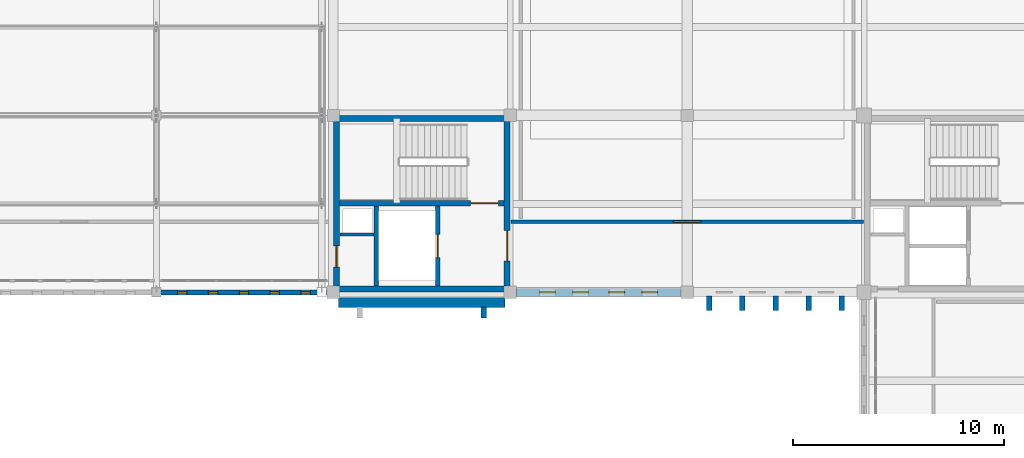
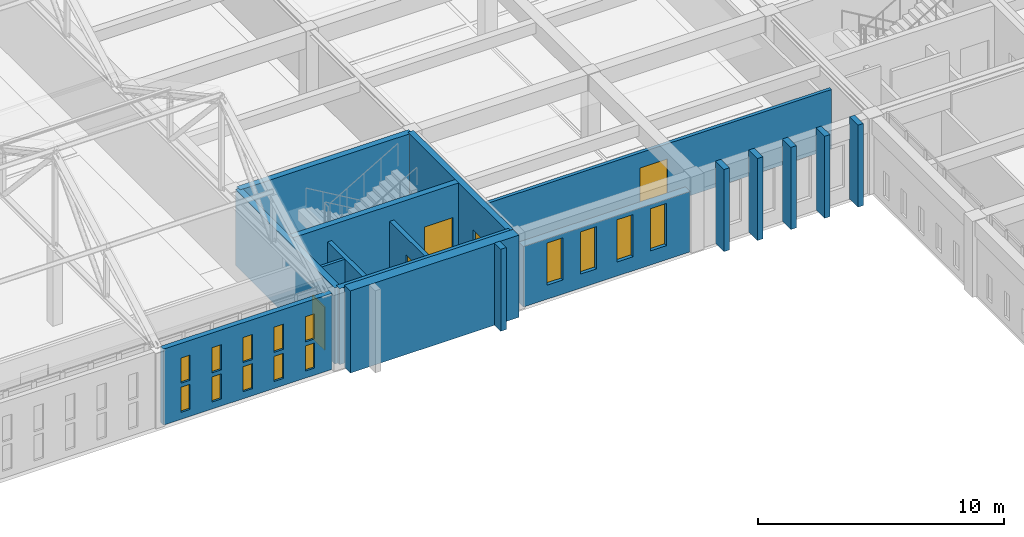
# One storey, part 92 of 110: 18 walls, 14 windows, 5 doors, 19 openings.
"""IFC4 building model written with IfcOpenShell, lengths in metres."""

from ifc_helpers import new_model, si_unit, direction, frame, frame_2d, origin, place, context, subcontext, project, spatial, rectangle, extrude, material, layer, layer_set, type_object, element, fill, save


model = new_model("IFC4")

# Units and contexts
model_context = context("Model", 3, precision=1e-05, world=origin(), true_north=direction((0.0, 1.0)))
body_context = subcontext(model_context, "Body", "Model", "MODEL_VIEW")
ifc_project = project(units=[si_unit("LENGTHUNIT", "METRE"), si_unit("AREAUNIT", "SQUARE_METRE"), si_unit("VOLUMEUNIT", "CUBIC_METRE"), si_unit("PLANEANGLEUNIT", "RADIAN"), si_unit("MASSUNIT", "GRAM", prefix="KILO")], contexts=[model_context])

# Site, building, storey
site_placement = place(None, origin())
site = spatial("IfcSite", under=ifc_project, at=site_placement, CompositionType="ELEMENT")
building_placement = place(site_placement, origin())
building = spatial("IfcBuilding", under=site, at=building_placement, Name="Kveldsbrygga Polytechnic", CompositionType="ELEMENT")
storey_placement = place(building_placement, frame((0.0, 0.0, 9.860107421875)))
storey = spatial("IfcBuildingStorey", under=building, at=storey_placement, Name="L02", CompositionType="ELEMENT", Elevation=9.860107421875)

# Wall
ifc_material_1 = material(Name="Fired clay brick masonry M10", Category="masonry")
ifc_layer_1 = layer(ifc_material_1, 0.47998046875)
ifc_layer_set_1 = layer_set([ifc_layer_1], Name="Fired clay brick masonry M10")
wall_type_1 = type_object("IfcWallType", Name="EW-BAST-480", PredefinedType="SOLIDWALL", material=ifc_layer_set_1)
wall_1_placement = place(storey_placement, frame((101.0400390625, 83.52001953125, 0.0), z_axis=(0.0, 0.0, 1.0), x_axis=(1.0, 0.0, 0.0)))
element("IfcWall", 1, at=wall_1_placement, inside=storey, type_object=wall_type_1, Name="Corner Stair Bastion Wall BAST-L02-X-12-10", PredefinedType="SOLIDWALL", context=body_context, shape_type="SweptSolid", body=[
    extrude(rectangle(XDim=7.919921875, YDim=0.47998046875, at=frame_2d((3.9599609375, 0.0))), origin(), (0.0, 0.0, 1.0), 4.079833984375),
])

# Wall, openings, windows
ifc_layer_2 = layer(ifc_material_1, 0.3798828125)
ifc_layer_set_2 = layer_set([ifc_layer_2], Name="Fired clay brick masonry M10")
wall_type_2 = type_object("IfcWallType", Name="EW-BRICK-380", PredefinedType="SOLIDWALL", material=ifc_layer_set_2)
wall_2_placement = place(storey_placement, frame((109.47509765625, 84.0, 0.0), z_axis=(0.0, 0.0, 1.0), x_axis=(1.0, 0.0, 0.0)))
wall_2 = element("IfcWall", 2, at=wall_2_placement, inside=storey, type_object=wall_type_2, Name="Exterior Brick Wall EW-L02-X-13-10", PredefinedType="SOLIDWALL", context=body_context, shape_type="SweptSolid", body=[
    extrude(rectangle(XDim=7.83984375, YDim=0.3798828125, at=frame_2d((3.919921875, 0.0))), origin(), (0.0, 0.0, 1.0), 3.010009765625),
])
opening_1_placement = place(wall_2_placement, frame((1.114501953125, 0.0, 0.699951171875)))
opening_1 = element("IfcOpeningElement", 3, at=opening_1_placement, cuts=wall_2, Name="Opening W-27", PredefinedType="OPENING", context=body_context, shape_type="SweptSolid", body=[
    extrude(rectangle(XDim=0.75, YDim=2.10009765625, at=frame_2d((0.375, 1.050048828125))), frame((0.0, 0.199951171875, 0.0), z_axis=(0.0, -1.0, 0.0), x_axis=(1.0, 0.0, 0.0)), (0.0, 0.0, 1.0), 0.39990234375),
])
opening_2_placement = place(wall_2_placement, frame((2.6826171875, 0.0, 0.699951171875)))
opening_2 = element("IfcOpeningElement", 4, at=opening_2_placement, cuts=wall_2, Name="Opening W-27", PredefinedType="OPENING", context=body_context, shape_type="SweptSolid", body=[
    extrude(rectangle(XDim=0.75, YDim=2.10009765625, at=frame_2d((0.375, 1.050048828125))), frame((0.0, 0.199951171875, 0.0), z_axis=(0.0, -1.0, 0.0), x_axis=(1.0, 0.0, 0.0)), (0.0, 0.0, 1.0), 0.39990234375),
])
opening_3_placement = place(wall_2_placement, frame((4.407470703125, 0.0, 0.699951171875)))
opening_3 = element("IfcOpeningElement", 5, at=opening_3_placement, cuts=wall_2, Name="Opening W-27", PredefinedType="OPENING", context=body_context, shape_type="SweptSolid", body=[
    extrude(rectangle(XDim=0.75, YDim=2.10009765625, at=frame_2d((0.375, 1.050048828125))), frame((0.0, 0.199951171875, 0.0), z_axis=(0.0, -1.0, 0.0), x_axis=(1.0, 0.0, 0.0)), (0.0, 0.0, 1.0), 0.39990234375),
])
opening_4_placement = place(wall_2_placement, frame((5.975341796875, 0.0, 0.699951171875)))
opening_4 = element("IfcOpeningElement", 6, at=opening_4_placement, cuts=wall_2, Name="Opening W-27", PredefinedType="OPENING", context=body_context, shape_type="SweptSolid", body=[
    extrude(rectangle(XDim=0.75, YDim=2.10009765625, at=frame_2d((0.375, 1.050048828125))), frame((0.0, 0.199951171875, 0.0), z_axis=(0.0, -1.0, 0.0), x_axis=(1.0, 0.0, 0.0)), (0.0, 0.0, 1.0), 0.39990234375),
])
ifc_material_2 = material(Name="Insulated triple low-E glass", Category="glass")
window_type_1 = type_object("IfcWindowType", Name="WN-ATTIC-075x210", PartitioningType="DOUBLE_PANEL_VERTICAL", PredefinedType="WINDOW", material=ifc_material_2)
window_1_placement = place(opening_1_placement, origin())
window_1 = element("IfcWindow", 7, at=window_1_placement, inside=storey, type_object=window_type_1, Name="Gothic Lancet Window WIN-L02-X-13-10-1", OverallHeight=2.10009765625, OverallWidth=0.75, PartitioningType="DOUBLE_PANEL_VERTICAL", PredefinedType="WINDOW", context=body_context, shape_type="SweptSolid", body=[
    extrude(rectangle(XDim=0.75, YDim=2.10009765625, at=frame_2d((0.375, 1.050048828125))), frame((0.0, 0.030029296875, 0.0), z_axis=(0.0, -1.0, 0.0), x_axis=(1.0, 0.0, 0.0)), (0.0, 0.0, 1.0), 0.06005859375),
])
fill(opening_1, window_1)
window_2_placement = place(opening_2_placement, origin())
window_2 = element("IfcWindow", 8, at=window_2_placement, inside=storey, type_object=window_type_1, Name="Gothic Lancet Window WIN-L02-X-13-10-2", OverallHeight=2.10009765625, OverallWidth=0.75, PartitioningType="DOUBLE_PANEL_VERTICAL", PredefinedType="WINDOW", context=body_context, shape_type="SweptSolid", body=[
    extrude(rectangle(XDim=0.75, YDim=2.10009765625, at=frame_2d((0.375, 1.050048828125))), frame((0.0, 0.030029296875, 0.0), z_axis=(0.0, -1.0, 0.0), x_axis=(1.0, 0.0, 0.0)), (0.0, 0.0, 1.0), 0.06005859375),
])
fill(opening_2, window_2)
window_3_placement = place(opening_3_placement, origin())
window_3 = element("IfcWindow", 9, at=window_3_placement, inside=storey, type_object=window_type_1, Name="Gothic Lancet Window WIN-L02-X-13-10-3", OverallHeight=2.10009765625, OverallWidth=0.75, PartitioningType="DOUBLE_PANEL_VERTICAL", PredefinedType="WINDOW", context=body_context, shape_type="SweptSolid", body=[
    extrude(rectangle(XDim=0.75, YDim=2.10009765625, at=frame_2d((0.375, 1.050048828125))), frame((0.0, 0.030029296875, 0.0), z_axis=(0.0, -1.0, 0.0), x_axis=(1.0, 0.0, 0.0)), (0.0, 0.0, 1.0), 0.06005859375),
])
fill(opening_3, window_3)
window_4_placement = place(opening_4_placement, origin())
window_4 = element("IfcWindow", 10, at=window_4_placement, inside=storey, type_object=window_type_1, Name="Gothic Lancet Window WIN-L02-X-13-10-4", OverallHeight=2.10009765625, OverallWidth=0.75, PartitioningType="DOUBLE_PANEL_VERTICAL", PredefinedType="WINDOW", context=body_context, shape_type="SweptSolid", body=[
    extrude(rectangle(XDim=0.75, YDim=2.10009765625, at=frame_2d((0.375, 1.050048828125))), frame((0.0, 0.030029296875, 0.0), z_axis=(0.0, -1.0, 0.0), x_axis=(1.0, 0.0, 0.0)), (0.0, 0.0, 1.0), 0.06005859375),
])
fill(opening_4, window_4)

# Walls
ifc_layer_3 = layer(ifc_material_1, 0.260009765625)
ifc_layer_set_3 = layer_set([ifc_layer_3], Name="Fired clay brick masonry M10")
wall_type_3 = type_object("IfcWallType", Name="EW-BUTT-260", PredefinedType="SOLIDWALL", material=ifc_layer_set_3)
wall_3_placement = place(storey_placement, frame((107.949951171875, 83.300048828125, 0.0), z_axis=(0.0, 0.0, 1.0), x_axis=(0.0, -1.0, 0.0)))
element("IfcWall", 11, at=wall_3_placement, inside=storey, type_object=wall_type_3, Name="Gothic Brick Buttress Pier BCLAS-L02-X-12-10-2", PredefinedType="SOLIDWALL", context=body_context, shape_type="SweptSolid", body=[
    extrude(rectangle(XDim=0.52001953125, YDim=0.260009765625, at=frame_2d((0.260009765625, 0.0))), origin(), (0.0, 0.0, 1.0), 4.079833984375),
])
for number, where, z_axis, x_axis, name in (
    (12, (118.64990234375, 83.8349609375, 0.0), (0.0, 0.0, 1.0), (0.0, -1.0, 0.0), "Gothic Brick Buttress Pier BUTT-L02-X-14-10-1"),
    (13, (120.219970703125, 83.8349609375, 0.0), (0.0, 0.0, 1.0), (0.0, -1.0, 0.0), "Gothic Brick Buttress Pier BUTT-L02-X-14-10-2"),
    (14, (121.800048828125, 83.8349609375, 0.0), (0.0, 0.0, 1.0), (0.0, -1.0, 0.0), "Gothic Brick Buttress Pier BUTT-L02-X-14-10-3"),
    (15, (123.3798828125, 83.8349609375, 0.0), (0.0, 0.0, 1.0), (0.0, -1.0, 0.0), "Gothic Brick Buttress Pier BUTT-L02-X-14-10-4"),
    (16, (124.949951171875, 83.8349609375, 0.0), (0.0, 0.0, 1.0), (0.0, -1.0, 0.0), "Gothic Brick Buttress Pier BUTT-L02-X-14-10-5"),
):
    element("IfcWall", number, at=place(storey_placement, frame(where, z_axis=z_axis, x_axis=x_axis)), inside=storey, type_object=wall_type_3, Name=name, PredefinedType="SOLIDWALL", context=body_context, shape_type="SweptSolid", body=[
        extrude(rectangle(XDim=0.699951171875, YDim=0.260009765625, at=frame_2d((0.35009765625, 0.0))), origin(), (0.0, 0.0, 1.0), 4.079833984375),
    ])

# Wall, openings, windows
ifc_layer_4 = layer(ifc_material_1, 0.239990234375)
ifc_layer_set_4 = layer_set([ifc_layer_4], Name="Fired clay brick masonry M10")
wall_type_4 = type_object("IfcWallType", Name="EW-SCRN-240", PredefinedType="SOLIDWALL", material=ifc_layer_set_4)
wall_4_placement = place(storey_placement, frame((92.594970703125, 84.0, 0.0), z_axis=(0.0, 0.0, 1.0), x_axis=(1.0, 0.0, 0.0)))
wall_4 = element("IfcWall", 17, at=wall_4_placement, inside=storey, type_object=wall_type_4, Name="Perforated Brick Corridor Screen Wall SCRW-L02-X-11-10", PredefinedType="SOLIDWALL", context=body_context, shape_type="SweptSolid", body=[
    extrude(rectangle(XDim=7.919921875, YDim=0.239990234375, at=frame_2d((3.9599609375, 0.0))), origin(), (0.0, 0.0, 1.0), 3.77978515625),
])
opening_5_placement = place(wall_4_placement, frame((0.81201171875, 0.0, 0.35009765625)))
opening_5 = element("IfcOpeningElement", 18, at=opening_5_placement, cuts=wall_4, Name="Opening W-48", PredefinedType="OPENING", context=body_context, shape_type="SweptSolid", body=[
    extrude(rectangle(XDim=0.43994140625, YDim=1.25, at=frame_2d((0.219970703125, 0.625))), frame((0.0, 0.1298828125, 0.0), z_axis=(0.0, -1.0, 0.0), x_axis=(1.0, 0.0, 0.0)), (0.0, 0.0, 1.0), 0.260009765625),
])
opening_6_placement = place(wall_4_placement, frame((2.27587890625, 0.0, 0.35009765625)))
opening_6 = element("IfcOpeningElement", 19, at=opening_6_placement, cuts=wall_4, Name="Opening W-48", PredefinedType="OPENING", context=body_context, shape_type="SweptSolid", body=[
    extrude(rectangle(XDim=0.43994140625, YDim=1.25, at=frame_2d((0.219970703125, 0.625))), frame((0.0, 0.1298828125, 0.0), z_axis=(0.0, -1.0, 0.0), x_axis=(1.0, 0.0, 0.0)), (0.0, 0.0, 1.0), 0.260009765625),
])
opening_7_placement = place(wall_4_placement, frame((3.739990234375, 0.0, 0.35009765625)))
opening_7 = element("IfcOpeningElement", 20, at=opening_7_placement, cuts=wall_4, Name="Opening W-48", PredefinedType="OPENING", context=body_context, shape_type="SweptSolid", body=[
    extrude(rectangle(XDim=0.43994140625, YDim=1.25, at=frame_2d((0.219970703125, 0.625))), frame((0.0, 0.1298828125, 0.0), z_axis=(0.0, -1.0, 0.0), x_axis=(1.0, 0.0, 0.0)), (0.0, 0.0, 1.0), 0.260009765625),
])
opening_8_placement = place(wall_4_placement, frame((5.2041015625, 0.0, 0.35009765625)))
opening_8 = element("IfcOpeningElement", 21, at=opening_8_placement, cuts=wall_4, Name="Opening W-48", PredefinedType="OPENING", context=body_context, shape_type="SweptSolid", body=[
    extrude(rectangle(XDim=0.43994140625, YDim=1.25, at=frame_2d((0.219970703125, 0.625))), frame((0.0, 0.1298828125, 0.0), z_axis=(0.0, -1.0, 0.0), x_axis=(1.0, 0.0, 0.0)), (0.0, 0.0, 1.0), 0.260009765625),
])
opening_9_placement = place(wall_4_placement, frame((6.66796875, 0.0, 0.35009765625)))
opening_9 = element("IfcOpeningElement", 22, at=opening_9_placement, cuts=wall_4, Name="Opening W-48", PredefinedType="OPENING", context=body_context, shape_type="SweptSolid", body=[
    extrude(rectangle(XDim=0.43994140625, YDim=1.25, at=frame_2d((0.219970703125, 0.625))), frame((0.0, 0.1298828125, 0.0), z_axis=(0.0, -1.0, 0.0), x_axis=(1.0, 0.0, 0.0)), (0.0, 0.0, 1.0), 0.260009765625),
])
opening_10_placement = place(wall_4_placement, frame((0.81201171875, 0.0, 1.800048828125)))
opening_10 = element("IfcOpeningElement", 23, at=opening_10_placement, cuts=wall_4, Name="Opening W-48", PredefinedType="OPENING", context=body_context, shape_type="SweptSolid", body=[
    extrude(rectangle(XDim=0.43994140625, YDim=1.25, at=frame_2d((0.219970703125, 0.625))), frame((0.0, 0.1298828125, 0.0), z_axis=(0.0, -1.0, 0.0), x_axis=(1.0, 0.0, 0.0)), (0.0, 0.0, 1.0), 0.260009765625),
])
opening_11_placement = place(wall_4_placement, frame((2.27587890625, 0.0, 1.800048828125)))
opening_11 = element("IfcOpeningElement", 24, at=opening_11_placement, cuts=wall_4, Name="Opening W-48", PredefinedType="OPENING", context=body_context, shape_type="SweptSolid", body=[
    extrude(rectangle(XDim=0.43994140625, YDim=1.25, at=frame_2d((0.219970703125, 0.625))), frame((0.0, 0.1298828125, 0.0), z_axis=(0.0, -1.0, 0.0), x_axis=(1.0, 0.0, 0.0)), (0.0, 0.0, 1.0), 0.260009765625),
])
opening_12_placement = place(wall_4_placement, frame((3.739990234375, 0.0, 1.800048828125)))
opening_12 = element("IfcOpeningElement", 25, at=opening_12_placement, cuts=wall_4, Name="Opening W-48", PredefinedType="OPENING", context=body_context, shape_type="SweptSolid", body=[
    extrude(rectangle(XDim=0.43994140625, YDim=1.25, at=frame_2d((0.219970703125, 0.625))), frame((0.0, 0.1298828125, 0.0), z_axis=(0.0, -1.0, 0.0), x_axis=(1.0, 0.0, 0.0)), (0.0, 0.0, 1.0), 0.260009765625),
])
opening_13_placement = place(wall_4_placement, frame((5.2041015625, 0.0, 1.800048828125)))
opening_13 = element("IfcOpeningElement", 26, at=opening_13_placement, cuts=wall_4, Name="Opening W-48", PredefinedType="OPENING", context=body_context, shape_type="SweptSolid", body=[
    extrude(rectangle(XDim=0.43994140625, YDim=1.25, at=frame_2d((0.219970703125, 0.625))), frame((0.0, 0.1298828125, 0.0), z_axis=(0.0, -1.0, 0.0), x_axis=(1.0, 0.0, 0.0)), (0.0, 0.0, 1.0), 0.260009765625),
])
opening_14_placement = place(wall_4_placement, frame((6.66796875, 0.0, 1.800048828125)))
opening_14 = element("IfcOpeningElement", 27, at=opening_14_placement, cuts=wall_4, Name="Opening W-48", PredefinedType="OPENING", context=body_context, shape_type="SweptSolid", body=[
    extrude(rectangle(XDim=0.43994140625, YDim=1.25, at=frame_2d((0.219970703125, 0.625))), frame((0.0, 0.1298828125, 0.0), z_axis=(0.0, -1.0, 0.0), x_axis=(1.0, 0.0, 0.0)), (0.0, 0.0, 1.0), 0.260009765625),
])
window_type_2 = type_object("IfcWindowType", Name="WN-SCRN-044x125", PartitioningType="SINGLE_PANEL", PredefinedType="WINDOW", material=ifc_material_2)
window_5_placement = place(opening_5_placement, origin())
window_5 = element("IfcWindow", 28, at=window_5_placement, inside=storey, type_object=window_type_2, Name="Perforated Screen Aperture L02-X-11-10-1", OverallHeight=1.25, OverallWidth=0.43994140625, PartitioningType="SINGLE_PANEL", PredefinedType="WINDOW", context=body_context, shape_type="SweptSolid", body=[
    extrude(rectangle(XDim=0.43994140625, YDim=1.25, at=frame_2d((0.219970703125, 0.625))), frame((0.0, 0.030029296875, 0.0), z_axis=(0.0, -1.0, 0.0), x_axis=(1.0, 0.0, 0.0)), (0.0, 0.0, 1.0), 0.06005859375),
])
fill(opening_5, window_5)
window_6_placement = place(opening_6_placement, origin())
window_6 = element("IfcWindow", 29, at=window_6_placement, inside=storey, type_object=window_type_2, Name="Perforated Screen Aperture L02-X-11-10-2", OverallHeight=1.25, OverallWidth=0.43994140625, PartitioningType="SINGLE_PANEL", PredefinedType="WINDOW", context=body_context, shape_type="SweptSolid", body=[
    extrude(rectangle(XDim=0.43994140625, YDim=1.25, at=frame_2d((0.219970703125, 0.625))), frame((0.0, 0.030029296875, 0.0), z_axis=(0.0, -1.0, 0.0), x_axis=(1.0, 0.0, 0.0)), (0.0, 0.0, 1.0), 0.06005859375),
])
fill(opening_6, window_6)
window_7_placement = place(opening_7_placement, origin())
window_7 = element("IfcWindow", 30, at=window_7_placement, inside=storey, type_object=window_type_2, Name="Perforated Screen Aperture L02-X-11-10-3", OverallHeight=1.25, OverallWidth=0.43994140625, PartitioningType="SINGLE_PANEL", PredefinedType="WINDOW", context=body_context, shape_type="SweptSolid", body=[
    extrude(rectangle(XDim=0.43994140625, YDim=1.25, at=frame_2d((0.219970703125, 0.625))), frame((0.0, 0.030029296875, 0.0), z_axis=(0.0, -1.0, 0.0), x_axis=(1.0, 0.0, 0.0)), (0.0, 0.0, 1.0), 0.06005859375),
])
fill(opening_7, window_7)
window_8_placement = place(opening_8_placement, origin())
window_8 = element("IfcWindow", 31, at=window_8_placement, inside=storey, type_object=window_type_2, Name="Perforated Screen Aperture L02-X-11-10-4", OverallHeight=1.25, OverallWidth=0.43994140625, PartitioningType="SINGLE_PANEL", PredefinedType="WINDOW", context=body_context, shape_type="SweptSolid", body=[
    extrude(rectangle(XDim=0.43994140625, YDim=1.25, at=frame_2d((0.219970703125, 0.625))), frame((0.0, 0.030029296875, 0.0), z_axis=(0.0, -1.0, 0.0), x_axis=(1.0, 0.0, 0.0)), (0.0, 0.0, 1.0), 0.06005859375),
])
fill(opening_8, window_8)
window_9_placement = place(opening_9_placement, origin())
window_9 = element("IfcWindow", 32, at=window_9_placement, inside=storey, type_object=window_type_2, Name="Perforated Screen Aperture L02-X-11-10-5", OverallHeight=1.25, OverallWidth=0.43994140625, PartitioningType="SINGLE_PANEL", PredefinedType="WINDOW", context=body_context, shape_type="SweptSolid", body=[
    extrude(rectangle(XDim=0.43994140625, YDim=1.25, at=frame_2d((0.219970703125, 0.625))), frame((0.0, 0.030029296875, 0.0), z_axis=(0.0, -1.0, 0.0), x_axis=(1.0, 0.0, 0.0)), (0.0, 0.0, 1.0), 0.06005859375),
])
fill(opening_9, window_9)
window_10_placement = place(opening_10_placement, origin())
window_10 = element("IfcWindow", 33, at=window_10_placement, inside=storey, type_object=window_type_2, Name="Perforated Screen Aperture L02-X-11-10-6", OverallHeight=1.25, OverallWidth=0.43994140625, PartitioningType="SINGLE_PANEL", PredefinedType="WINDOW", context=body_context, shape_type="SweptSolid", body=[
    extrude(rectangle(XDim=0.43994140625, YDim=1.25, at=frame_2d((0.219970703125, 0.625))), frame((0.0, 0.030029296875, 0.0), z_axis=(0.0, -1.0, 0.0), x_axis=(1.0, 0.0, 0.0)), (0.0, 0.0, 1.0), 0.06005859375),
])
fill(opening_10, window_10)
window_11_placement = place(opening_11_placement, origin())
window_11 = element("IfcWindow", 34, at=window_11_placement, inside=storey, type_object=window_type_2, Name="Perforated Screen Aperture L02-X-11-10-7", OverallHeight=1.25, OverallWidth=0.43994140625, PartitioningType="SINGLE_PANEL", PredefinedType="WINDOW", context=body_context, shape_type="SweptSolid", body=[
    extrude(rectangle(XDim=0.43994140625, YDim=1.25, at=frame_2d((0.219970703125, 0.625))), frame((0.0, 0.030029296875, 0.0), z_axis=(0.0, -1.0, 0.0), x_axis=(1.0, 0.0, 0.0)), (0.0, 0.0, 1.0), 0.06005859375),
])
fill(opening_11, window_11)
window_12_placement = place(opening_12_placement, origin())
window_12 = element("IfcWindow", 35, at=window_12_placement, inside=storey, type_object=window_type_2, Name="Perforated Screen Aperture L02-X-11-10-8", OverallHeight=1.25, OverallWidth=0.43994140625, PartitioningType="SINGLE_PANEL", PredefinedType="WINDOW", context=body_context, shape_type="SweptSolid", body=[
    extrude(rectangle(XDim=0.43994140625, YDim=1.25, at=frame_2d((0.219970703125, 0.625))), frame((0.0, 0.030029296875, 0.0), z_axis=(0.0, -1.0, 0.0), x_axis=(1.0, 0.0, 0.0)), (0.0, 0.0, 1.0), 0.06005859375),
])
fill(opening_12, window_12)
window_13_placement = place(opening_13_placement, origin())
window_13 = element("IfcWindow", 36, at=window_13_placement, inside=storey, type_object=window_type_2, Name="Perforated Screen Aperture L02-X-11-10-9", OverallHeight=1.25, OverallWidth=0.43994140625, PartitioningType="SINGLE_PANEL", PredefinedType="WINDOW", context=body_context, shape_type="SweptSolid", body=[
    extrude(rectangle(XDim=0.43994140625, YDim=1.25, at=frame_2d((0.219970703125, 0.625))), frame((0.0, 0.030029296875, 0.0), z_axis=(0.0, -1.0, 0.0), x_axis=(1.0, 0.0, 0.0)), (0.0, 0.0, 1.0), 0.06005859375),
])
fill(opening_13, window_13)
window_14_placement = place(opening_14_placement, origin())
window_14 = element("IfcWindow", 37, at=window_14_placement, inside=storey, type_object=window_type_2, Name="Perforated Screen Aperture L02-X-11-10-10", OverallHeight=1.25, OverallWidth=0.43994140625, PartitioningType="SINGLE_PANEL", PredefinedType="WINDOW", context=body_context, shape_type="SweptSolid", body=[
    extrude(rectangle(XDim=0.43994140625, YDim=1.25, at=frame_2d((0.219970703125, 0.625))), frame((0.0, 0.030029296875, 0.0), z_axis=(0.0, -1.0, 0.0), x_axis=(1.0, 0.0, 0.0)), (0.0, 0.0, 1.0), 0.06005859375),
])
fill(opening_14, window_14)

# Wall
ifc_material_3 = material(Name="Moisture-resistant masonry M10", Category="masonry")
ifc_layer_5 = layer(ifc_material_3, 0.1298828125)
ifc_layer_set_5 = layer_set([ifc_layer_5], Name="Moisture-resistant masonry M10")
wall_type_5 = type_object("IfcWallType", Name="IW-SAN-130", PredefinedType="PARTITIONING", material=ifc_layer_set_5)
wall_5_placement = place(storey_placement, frame((101.1201171875, 86.739990234375, 0.0), z_axis=(0.0, 0.0, 1.0), x_axis=(1.0, 0.0, 0.0)))
element("IfcWall", 38, at=wall_5_placement, inside=storey, type_object=wall_type_5, Name="Core AWC Divider C5-L02-W-RSR", PredefinedType="PARTITIONING", context=body_context, shape_type="SweptSolid", body=[
    extrude(rectangle(XDim=1.619873046875, YDim=0.1298828125, at=frame_2d((0.81005859375, 0.0))), origin(), (0.0, 0.0, 1.0), 3.0),
])

# Wall, opening, door
ifc_material_4 = material(Name="Gypsum acoustic stud partition")
ifc_layer_6 = layer(ifc_material_4, 0.159912109375)
ifc_layer_set_6 = layer_set([ifc_layer_6], Name="Gypsum acoustic stud partition")
wall_type_6 = type_object("IfcWallType", Name="IW-STD-160", PredefinedType="PARTITIONING", material=ifc_layer_set_6)
wall_6_placement = place(storey_placement, frame((109.22998046875, 87.35009765625, 0.0), z_axis=(0.0, 0.0, 1.0), x_axis=(1.0, 0.0, 0.0)))
wall_6 = element("IfcWall", 39, at=wall_6_placement, inside=storey, type_object=wall_type_6, Name="Partition Wall IW-SP-L02-STD23-S1", PredefinedType="PARTITIONING", context=body_context, shape_type="SweptSolid", body=[
    extrude(rectangle(XDim=16.739990234375, YDim=0.159912109375, at=frame_2d((8.3701171875, 0.0))), origin(), (0.0, 0.0, 1.0), 2.949951171875),
])
opening_15_placement = place(wall_6_placement, frame((7.719970703125, 0.0, 0.0)))
opening_15 = element("IfcOpeningElement", 40, at=opening_15_placement, cuts=wall_6, Name="Opening ID-L02-070", PredefinedType="OPENING", context=body_context, shape_type="SweptSolid", body=[
    extrude(rectangle(XDim=1.300048828125, YDim=2.199951171875, at=frame_2d((0.64990234375, 1.10009765625))), frame((0.0, 0.08984375, 0.0), z_axis=(0.0, -1.0, 0.0), x_axis=(1.0, 0.0, 0.0)), (0.0, 0.0, 1.0), 0.179931640625),
])
ifc_material_5 = material(Name="Acoustic oak timber", Category="wood")
door_type_1 = type_object("IfcDoorType", Name="ID-STD-130x220", OperationType="NOTDEFINED", PredefinedType="DOOR", material=ifc_material_5)
door_1_placement = place(opening_15_placement, origin())
door_1 = element("IfcDoor", 41, at=door_1_placement, inside=storey, type_object=door_type_1, Name="Interior Door ID-L02-070", OperationType="SINGLE_SWING_RIGHT", OverallHeight=2.199951171875, OverallWidth=1.300048828125, PredefinedType="DOOR", context=body_context, shape_type="SweptSolid", body=[
    extrude(rectangle(XDim=1.300048828125, YDim=2.199951171875, at=frame_2d((0.64990234375, 1.10009765625))), frame((0.0, 0.02490234375, 0.0), z_axis=(0.0, -1.0, 0.0), x_axis=(1.0, 0.0, 0.0)), (0.0, 0.0, 1.0), 0.050048828125),
])
fill(opening_15, door_1)

# Walls
ifc_material_6 = material(Name="Concrete C45/55", Category="concrete")
ifc_layer_7 = layer(ifc_material_6, 0.280029296875)
ifc_layer_set_7 = layer_set([ifc_layer_7], Name="Concrete C45/55")
wall_type_7 = type_object("IfcWallType", Name="WL-CORE-280", PredefinedType="SHEAR", material=ifc_layer_set_7)
for number, where, z_axis, x_axis, name in (
    (42, (100.949951171875, 84.14990234375, 0.0), (0.0, 0.0, 1.0), (1.0, 0.0, 0.0), "Core C5 Shear Wall C5-L02-SW-S"),
    (43, (100.949951171875, 92.25, 0.0), (0.0, 0.0, 1.0), (1.0, 0.0, 0.0), "Core C5 Shear Wall C5-L02-SW-N"),
):
    element("IfcWall", number, at=place(storey_placement, frame(where, z_axis=z_axis, x_axis=x_axis)), inside=storey, type_object=wall_type_7, Name=name, PredefinedType="SHEAR", context=body_context, shape_type="SweptSolid", body=[
        extrude(rectangle(XDim=8.10009765625, YDim=0.280029296875, at=frame_2d((4.050048828125, 0.0))), origin(), (0.0, 0.0, 1.0), 3.77978515625),
    ])

# Wall, opening, door
wall_7_placement = place(storey_placement, frame((100.949951171875, 84.14990234375, 0.0), z_axis=(0.0, 0.0, 1.0), x_axis=(0.0, 1.0, 0.0)))
wall_7 = element("IfcWall", 44, at=wall_7_placement, inside=storey, type_object=wall_type_7, Name="Core C5 Shear Wall C5-L02-SW-W", PredefinedType="SHEAR", context=body_context, shape_type="SweptSolid", body=[
    extrude(rectangle(XDim=8.10009765625, YDim=0.280029296875, at=frame_2d((4.050048828125, 0.0))), origin(), (0.0, 0.0, 1.0), 3.77978515625),
])
opening_16_placement = place(wall_7_placement, frame((1.050048828125, 0.0, 0.0)))
opening_16 = element("IfcOpeningElement", 45, at=opening_16_placement, cuts=wall_7, Name="Opening ID-C5-L02-AWC", PredefinedType="OPENING", context=body_context, shape_type="SweptSolid", body=[
    extrude(rectangle(XDim=1.0, YDim=2.14990234375, at=frame_2d((0.5, 1.074951171875))), frame((0.0, 0.14990234375, 0.0), z_axis=(0.0, -1.0, 0.0), x_axis=(1.0, 0.0, 0.0)), (0.0, 0.0, 1.0), 0.300048828125),
])
door_type_2 = type_object("IfcDoorType", Name="ID-AWC-100x215", OperationType="NOTDEFINED", PredefinedType="DOOR", material=ifc_material_5)
door_2_placement = place(opening_16_placement, origin())
door_2 = element("IfcDoor", 46, at=door_2_placement, inside=storey, type_object=door_type_2, Name="Accessible WC Door ID-C5-L02-AWC", OperationType="SINGLE_SWING_LEFT", OverallHeight=2.14990234375, OverallWidth=1.0, PredefinedType="DOOR", context=body_context, shape_type="SweptSolid", body=[
    extrude(rectangle(XDim=1.0, YDim=2.14990234375, at=frame_2d((0.5, 1.074951171875))), frame((0.0, 0.02490234375, 0.0), z_axis=(0.0, -1.0, 0.0), x_axis=(1.0, 0.0, 0.0)), (0.0, 0.0, 1.0), 0.050048828125),
])
fill(opening_16, door_2)

wall_8_placement = place(storey_placement, frame((109.050048828125, 84.14990234375, 0.0), z_axis=(0.0, 0.0, 1.0), x_axis=(0.0, 1.0, 0.0)))
wall_8 = element("IfcWall", 47, at=wall_8_placement, inside=storey, type_object=wall_type_7, Name="Core C5 Shear Wall C5-L02-SW-E", PredefinedType="SHEAR", context=body_context, shape_type="SweptSolid", body=[
    extrude(rectangle(XDim=8.10009765625, YDim=0.280029296875, at=frame_2d((4.050048828125, 0.0))), origin(), (0.0, 0.0, 1.0), 3.77978515625),
])
opening_17_placement = place(wall_8_placement, frame((1.324951171875, 0.0, 0.0)))
opening_17 = element("IfcOpeningElement", 48, at=opening_17_placement, cuts=wall_8, Name="Opening FD-C5-L02-LOB", PredefinedType="OPENING", context=body_context, shape_type="SweptSolid", body=[
    extrude(rectangle(XDim=1.449951171875, YDim=2.14990234375, at=frame_2d((0.72509765625, 1.074951171875))), frame((0.0, 0.14990234375, 0.0), z_axis=(0.0, -1.0, 0.0), x_axis=(1.0, 0.0, 0.0)), (0.0, 0.0, 1.0), 0.300048828125),
])
ifc_material_7 = material(Name="Powder-coated galvanised steel", Category="steel")
door_type_3 = type_object("IfcDoorType", Name="ID-LOBBY-145x215", OperationType="DOUBLE_DOOR_SINGLE_SWING", PredefinedType="DOOR", material=ifc_material_7)
door_3_placement = place(opening_17_placement, origin())
door_3 = element("IfcDoor", 49, at=door_3_placement, inside=storey, type_object=door_type_3, Name="Core Lobby Fire Door FD-C5-L02-LOB", OperationType="DOUBLE_DOOR_SINGLE_SWING", OverallHeight=2.14990234375, OverallWidth=1.449951171875, PredefinedType="DOOR", context=body_context, shape_type="SweptSolid", body=[
    extrude(rectangle(XDim=1.449951171875, YDim=2.14990234375, at=frame_2d((0.72509765625, 1.074951171875))), frame((0.0, 0.02490234375, 0.0), z_axis=(0.0, -1.0, 0.0), x_axis=(1.0, 0.0, 0.0)), (0.0, 0.0, 1.0), 0.050048828125),
])
fill(opening_17, door_3)

wall_9_placement = place(storey_placement, frame((101.10009765625, 88.22998046875, 0.0), z_axis=(0.0, 0.0, 1.0), x_axis=(1.0, 0.0, 0.0)))
wall_9 = element("IfcWall", 50, at=wall_9_placement, inside=storey, type_object=wall_type_7, Name="Core C5 Shear Wall C5-L02-W-DIV", PredefinedType="SHEAR", context=body_context, shape_type="SweptSolid", body=[
    extrude(rectangle(XDim=7.7998046875, YDim=0.280029296875, at=frame_2d((3.89990234375, 0.0))), origin(), (0.0, 0.0, 1.0), 3.77978515625),
])
opening_18_placement = place(wall_9_placement, frame((6.199951171875, 0.0, 0.0)))
opening_18 = element("IfcOpeningElement", 51, at=opening_18_placement, cuts=wall_9, Name="Opening FD-C5-L02-ST", PredefinedType="OPENING", context=body_context, shape_type="SweptSolid", body=[
    extrude(rectangle(XDim=1.35009765625, YDim=2.14990234375, at=frame_2d((0.675048828125, 1.074951171875))), frame((0.0, 0.14990234375, 0.0), z_axis=(0.0, -1.0, 0.0), x_axis=(1.0, 0.0, 0.0)), (0.0, 0.0, 1.0), 0.300048828125),
])
door_type_4 = type_object("IfcDoorType", Name="ID-STAIR-135x215", OperationType="NOTDEFINED", PredefinedType="DOOR", material=ifc_material_7)
door_4_placement = place(opening_18_placement, origin())
door_4 = element("IfcDoor", 52, at=door_4_placement, inside=storey, type_object=door_type_4, Name="Stair Fire Door FD-C5-L02-ST", OperationType="SINGLE_SWING_RIGHT", OverallHeight=2.14990234375, OverallWidth=1.35009765625, PredefinedType="DOOR", context=body_context, shape_type="SweptSolid", body=[
    extrude(rectangle(XDim=1.35009765625, YDim=2.14990234375, at=frame_2d((0.675048828125, 1.074951171875))), frame((0.0, 0.02490234375, 0.0), z_axis=(0.0, -1.0, 0.0), x_axis=(1.0, 0.0, 0.0)), (0.0, 0.0, 1.0), 0.050048828125),
])
fill(opening_18, door_4)

ifc_material_8 = material(Name="Concrete C35/45", Category="concrete")
ifc_layer_8 = layer(ifc_material_8, 0.199951171875)
ifc_layer_set_8 = layer_set([ifc_layer_8], Name="Concrete C35/45")
wall_type_8 = type_object("IfcWallType", Name="WL-SHFT-200", PredefinedType="SHEAR", material=ifc_layer_set_8)
wall_10_placement = place(storey_placement, frame((105.760009765625, 84.300048828125, 0.0), z_axis=(0.0, 0.0, 1.0), x_axis=(0.0, 1.0, 0.0)))
wall_10 = element("IfcWall", 53, at=wall_10_placement, inside=storey, type_object=wall_type_8, Name="Lift Front Wall C5-L02-W-LFR", PredefinedType="SHEAR", context=body_context, shape_type="SweptSolid", body=[
    extrude(rectangle(XDim=3.800048828125, YDim=0.199951171875, at=frame_2d((1.89990234375, 0.0))), origin(), (0.0, 0.0, 1.0), 3.010009765625),
])
opening_19_placement = place(wall_10_placement, frame((1.35009765625, 0.0, 0.0)))
opening_19 = element("IfcOpeningElement", 54, at=opening_19_placement, cuts=wall_10, Name="Opening LD-LP-5", PredefinedType="OPENING", context=body_context, shape_type="SweptSolid", body=[
    extrude(rectangle(XDim=1.10009765625, YDim=2.14990234375, at=frame_2d((0.550048828125, 1.074951171875))), frame((0.0, 0.10986328125, 0.0), z_axis=(0.0, -1.0, 0.0), x_axis=(1.0, 0.0, 0.0)), (0.0, 0.0, 1.0), 0.219970703125),
])
ifc_material_9 = material(Name="Brushed stainless steel EN 1.4401", Category="steel")
door_type_5 = type_object("IfcDoorType", Name="LD-PAX-110x215", OperationType="SLIDING_TO_LEFT", PredefinedType="DOOR", material=ifc_material_9)
door_5_placement = place(opening_19_placement, origin())
door_5 = element("IfcDoor", 55, at=door_5_placement, inside=storey, type_object=door_type_5, Name="Lift Landing Sliding Door LD-LP-5-L02", OperationType="SLIDING_TO_LEFT", OverallHeight=2.14990234375, OverallWidth=1.10009765625, PredefinedType="DOOR", context=body_context, shape_type="SweptSolid", body=[
    extrude(rectangle(XDim=1.10009765625, YDim=2.14990234375, at=frame_2d((0.550048828125, 1.074951171875))), frame((0.0, 0.02490234375, 0.0), z_axis=(0.0, -1.0, 0.0), x_axis=(1.0, 0.0, 0.0)), (0.0, 0.0, 1.0), 0.050048828125),
])
fill(opening_19, door_5)

# Wall
wall_11_placement = place(storey_placement, frame((102.840087890625, 84.300048828125, 0.0), z_axis=(0.0, 0.0, 1.0), x_axis=(0.0, 1.0, 0.0)))
element("IfcWall", 56, at=wall_11_placement, inside=storey, type_object=wall_type_8, Name="Lift Back Wall C5-L02-W-LBK", PredefinedType="SHEAR", context=body_context, shape_type="SweptSolid", body=[
    extrude(rectangle(XDim=3.800048828125, YDim=0.199951171875, at=frame_2d((1.89990234375, 0.0))), origin(), (0.0, 0.0, 1.0), 3.010009765625),
])

save(model, "model.ifc")
